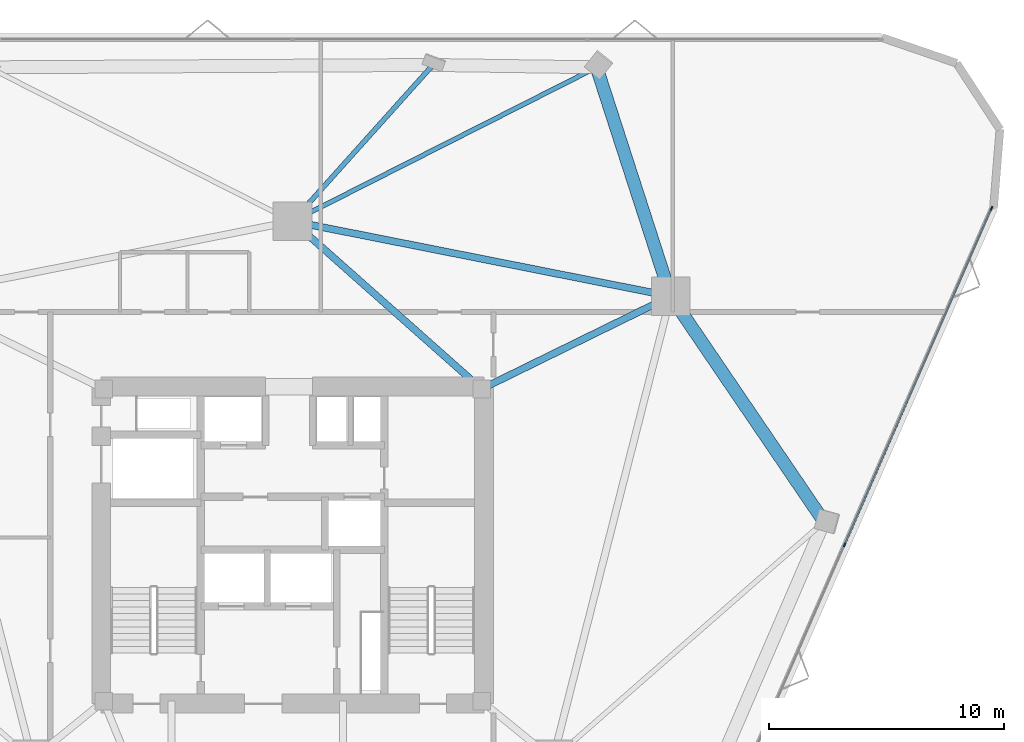
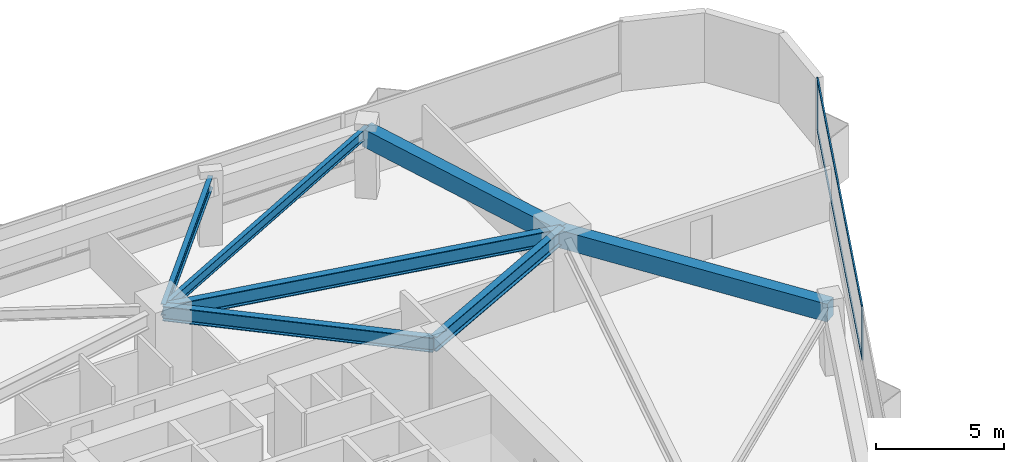
# One storey, part 6 of 14: 7 beams, 4 members, 1 element without a shape of its own.
"""IFC4 building model written with IfcOpenShell, lengths in metres."""

from ifc_helpers import new_model, si_unit, direction, frame, origin, origin_2d, place, context, subcontext, project, spatial, rectangle, i_section, extrude, material, layer, layer_set, material_profile, profile_set, type_object, element, aggregate, save


model = new_model("IFC4")

# Units and contexts
model_context = context("Model", 3, precision=1e-05, world=origin(), true_north=direction((0.0, 1.0)))
body_context = subcontext(model_context, "Body", "Model", "MODEL_VIEW")
ifc_project = project(units=[si_unit("LENGTHUNIT", "METRE"), si_unit("AREAUNIT", "SQUARE_METRE"), si_unit("VOLUMEUNIT", "CUBIC_METRE"), si_unit("PLANEANGLEUNIT", "RADIAN"), si_unit("MASSUNIT", "GRAM", prefix="KILO")], contexts=[model_context])

# Site, building, storey
site_placement = place(None, origin())
site = spatial("IfcSite", under=ifc_project, at=site_placement, CompositionType="ELEMENT")
building_placement = place(site_placement, origin())
building = spatial("IfcBuilding", under=site, at=building_placement, Name="Talyreon Biosciences Tower", CompositionType="ELEMENT")
storey_placement = place(building_placement, frame((0.0, 0.0, 115.14990234375)))
storey = spatial("IfcBuildingStorey", under=building, at=storey_placement, Name="L30", CompositionType="ELEMENT", Elevation=115.14990234375)

# Curtain wall, members
ifc_material_1 = material(Name="Thermally broken aluminium and low-E glazing", Category="aluminium")
ifc_layer = layer(ifc_material_1, 0.18994140625)
ifc_layer_set = layer_set([ifc_layer], Name="Thermally broken aluminium and low-E glazing")
curtain_wall_type = type_object("IfcCurtainWallType", Name="CurtainWall_Zone2Genomics", PredefinedType="NOTDEFINED", material=ifc_layer_set)
curtain_wall_placement = place(storey_placement, origin())
curtain_wall = element("IfcCurtainWall", 1, at=curtain_wall_placement, inside=storey, type_object=curtain_wall_type, Name="L30 Unitised Curtain Wall FCW-L30-08", PredefinedType="NOTDEFINED")
ifc_material_2 = material(Name="Anodised thermally broken aluminium", Category="aluminium")
ifc_material_profile_1 = material_profile(ifc_material_2, rectangle(XDim=0.06494140625, YDim=0.179931640625, at=origin_2d()), Name="ALUM MULLION 65x180")
ifc_profile_set_1 = profile_set([ifc_material_profile_1], Name="Anodised thermally broken aluminium")
member_type_1 = type_object("IfcMemberType", Name="CWMullion_65x180", PredefinedType="MULLION", material=ifc_profile_set_1)
member_1_placement = place(storey_placement, frame((95.767578125, 82.3408203125, 0.81005859375), z_axis=(0.0, 0.0, 1.0), x_axis=(0.916416470178, -0.400226002637, 0.0)))
member_1 = element("IfcMember", 2, at=member_1_placement, type_object=member_type_1, Name="CW3 mullion 1", PredefinedType="MULLION", context=body_context, shape_type="SweptSolid", body=[
    extrude(rectangle(XDim=0.06494140625, YDim=0.179931640625, at=origin_2d()), origin(), (0.0, 0.0, 1.0), 2.489990234375),
])
member_2_placement = place(storey_placement, frame((89.50830078125, 68.009033203125, 0.81005859375), z_axis=(0.0, 0.0, 1.0), x_axis=(0.916416470178, -0.400226002637, 0.0)))
member_2 = element("IfcMember", 3, at=member_2_placement, type_object=member_type_1, Name="CW3 mullion 2", PredefinedType="MULLION", context=body_context, shape_type="SweptSolid", body=[
    extrude(rectangle(XDim=0.06494140625, YDim=0.179931640625, at=origin_2d()), origin(), (0.0, 0.0, 1.0), 2.489990234375),
])
ifc_material_profile_2 = material_profile(ifc_material_2, rectangle(XDim=0.06494140625, YDim=0.139892578125, at=origin_2d()), Name="ALUM TRANSOM 65x140")
ifc_profile_set_2 = profile_set([ifc_material_profile_2], Name="Anodised thermally broken aluminium")
member_type_2 = type_object("IfcMemberType", Name="CWTransom_65x140", PredefinedType="USERDEFINED", material=ifc_profile_set_2)
member_3_placement = place(storey_placement, frame((95.75439453125, 82.31103515625, 0.842529296875), z_axis=(-0.400215954954, -0.916420858231, 0.0), x_axis=(0.916420858231, -0.400215954954, 0.0)))
member_3 = element("IfcMember", 4, at=member_3_placement, type_object=member_type_2, Name="CW3 transom 1.1", ObjectType="TRANSOM", PredefinedType="USERDEFINED", context=body_context, shape_type="SweptSolid", body=[
    extrude(rectangle(XDim=0.06494140625, YDim=0.139892578125, at=origin_2d()), origin(), (0.0, 0.0, 1.0), 15.573974609375),
])
member_4_placement = place(storey_placement, frame((95.75439453125, 82.31103515625, 3.267578125), z_axis=(-0.400215954954, -0.916420858231, 0.0), x_axis=(0.916420858231, -0.400215954954, 0.0)))
member_4 = element("IfcMember", 5, at=member_4_placement, type_object=member_type_2, Name="CW3 transom 1.2", ObjectType="TRANSOM", PredefinedType="USERDEFINED", context=body_context, shape_type="SweptSolid", body=[
    extrude(rectangle(XDim=0.06494140625, YDim=0.139892578125, at=origin_2d()), origin(), (0.0, 0.0, 1.0), 15.573974609375),
])
aggregate(curtain_wall, [member_1, member_2, member_3, member_4])

# Beams
ifc_material_3 = material(Name="Precast concrete C45/55", Category="concrete")
ifc_material_profile_3 = material_profile(ifc_material_3, rectangle(XDim=0.550048828125, YDim=0.85009765625, at=origin_2d()), Name="RCB 550x850")
ifc_profile_set_3 = profile_set([ifc_material_profile_3], Name="Precast concrete C45/55")
beam_type_1 = type_object("IfcBeamType", Name="ExpressedSpandrel_550x850", PredefinedType="SPANDREL", material=ifc_profile_set_3)
beam_1_placement = place(storey_placement, frame((88.635498046875, 68.9912109375, 2.875), z_axis=(-0.562319217619, 0.826920248571, 0.0), x_axis=(-0.826920248571, -0.562319217619, 0.0)))
element("IfcBeam", 6, at=beam_1_placement, inside=storey, type_object=beam_type_1, Name="L30 Expressed Horizontal Concrete Spandrel 04", PredefinedType="SPANDREL", context=body_context, shape_type="SweptSolid", body=[
    extrude(rectangle(XDim=0.550048828125, YDim=0.85009765625, at=origin_2d()), origin(), (0.0, 0.0, 1.0), 11.618408203125),
])
beam_2_placement = place(storey_placement, frame((82.102294921875, 78.5986328125, 2.875), z_axis=(-0.307838047932, 0.951438771674, 0.0), x_axis=(-0.951438771674, -0.307838047932, 0.0)))
element("IfcBeam", 7, at=beam_2_placement, inside=storey, type_object=beam_type_1, Name="L30 Expressed Horizontal Concrete Spandrel 05", PredefinedType="SPANDREL", context=body_context, shape_type="SweptSolid", body=[
    extrude(rectangle(XDim=0.550048828125, YDim=0.85009765625, at=origin_2d()), origin(), (0.0, 0.0, 1.0), 10.24658203125),
])
ifc_material_4 = material(Name="Steel SM355", Category="steel")
ifc_material_profile_4 = material_profile(ifc_material_4, i_section(OverallWidth=0.300048828125, OverallDepth=0.699951171875, WebThickness=0.01708984375, FlangeThickness=0.031982421875, FilletRadius=0.027099609375, at=origin_2d()), Name="HE700B")
ifc_profile_set_4 = profile_set([ifc_material_profile_4], Name="Steel SM355")
beam_type_2 = type_object("IfcBeamType", Name="SteelGirder_HE700B", PredefinedType="BEAM", material=ifc_profile_set_4)
beam_3_placement = place(storey_placement, frame((82.102294921875, 78.5986328125, 2.9501953125), z_axis=(-0.980933730698, 0.194342522311, 0.0), x_axis=(-0.194342522311, -0.980933730698, 0.0)))
element("IfcBeam", 8, at=beam_3_placement, inside=storey, type_object=beam_type_2, Name="L30 Mega-Ring Girder 3", PredefinedType="BEAM", context=body_context, shape_type="SweptSolid", body=[
    extrude(i_section(OverallWidth=0.300048828125, OverallDepth=0.699951171875, WebThickness=0.01708984375, FlangeThickness=0.031982421875, FilletRadius=0.027099609375, at=origin_2d()), origin(), (0.0, 0.0, 1.0), 16.415283203125),
])
beam_4_placement = place(storey_placement, frame((74.050048828125, 74.64990234375, 2.9501953125), z_axis=(0.897852360314, 0.440296648952, 0.0), x_axis=(-0.440296648952, 0.897852360314, 0.0)))
element("IfcBeam", 9, at=beam_4_placement, inside=storey, type_object=beam_type_2, Name="L30 Radial Primary Girder 3", PredefinedType="BEAM", context=body_context, shape_type="SweptSolid", body=[
    extrude(i_section(OverallWidth=0.300048828125, OverallDepth=0.699951171875, WebThickness=0.01708984375, FlangeThickness=0.031982421875, FilletRadius=0.027099609375, at=origin_2d()), origin(), (0.0, 0.0, 1.0), 8.96826171875),
])
beam_5_placement = place(storey_placement, frame((74.050048828125, 74.64990234375, 2.9501953125), z_axis=(-0.748178733955, 0.663497235908, 0.0), x_axis=(-0.663497235908, -0.748178733955, 0.0)))
element("IfcBeam", 10, at=beam_5_placement, inside=storey, type_object=beam_type_2, Name="L30 Radial Primary Girder 4", PredefinedType="BEAM", context=body_context, shape_type="SweptSolid", body=[
    extrude(i_section(OverallWidth=0.300048828125, OverallDepth=0.699951171875, WebThickness=0.01708984375, FlangeThickness=0.031982421875, FilletRadius=0.027099609375, at=origin_2d()), origin(), (0.0, 0.0, 1.0), 10.759521484375),
])
ifc_material_profile_5 = material_profile(ifc_material_4, i_section(OverallWidth=0.199951171875, OverallDepth=0.5, WebThickness=0.01025390625, FlangeThickness=0.01611328125, FilletRadius=0.02099609375, at=origin_2d()), Name="IPE500")
ifc_profile_set_5 = profile_set([ifc_material_profile_5], Name="Steel SM355")
beam_type_3 = type_object("IfcBeamType", Name="SteelJoist_IPE500", PredefinedType="JOIST", material=ifc_profile_set_5)
beam_6_placement = place(storey_placement, frame((66.0, 81.788818359375, 3.050048828125), z_axis=(0.892076913514, 0.45188359162, 0.0), x_axis=(-0.45188359162, 0.892076913514, 0.0)))
element("IfcBeam", 11, at=beam_6_placement, inside=storey, type_object=beam_type_3, Name="L30 Radial Composite Floor Joist PC-N1", PredefinedType="JOIST", context=body_context, shape_type="SweptSolid", body=[
    extrude(i_section(OverallWidth=0.199951171875, OverallDepth=0.5, WebThickness=0.01025390625, FlangeThickness=0.01611328125, FilletRadius=0.02099609375, at=origin_2d()), origin(), (0.0, 0.0, 1.0), 14.514404296875),
])
ifc_material_profile_6 = material_profile(ifc_material_4, i_section(OverallWidth=0.2099609375, OverallDepth=0.550048828125, WebThickness=0.010986328125, FlangeThickness=0.01708984375, FilletRadius=0.02392578125, at=origin_2d()), Name="IPE550")
ifc_profile_set_6 = profile_set([ifc_material_profile_6], Name="Steel SM355")
beam_type_4 = type_object("IfcBeamType", Name="SteelJoist_IPE550", PredefinedType="JOIST", material=ifc_profile_set_6)
beam_7_placement = place(storey_placement, frame((66.0, 81.788818359375, 3.025146484375), z_axis=(0.667929893728, 0.744224198118, 0.0), x_axis=(-0.744224198118, 0.667929893728, 0.0)))
element("IfcBeam", 12, at=beam_7_placement, inside=storey, type_object=beam_type_4, Name="L30 Radial Composite Floor Joist PL-N", PredefinedType="JOIST", context=body_context, shape_type="SweptSolid", body=[
    extrude(i_section(OverallWidth=0.2099609375, OverallDepth=0.550048828125, WebThickness=0.010986328125, FlangeThickness=0.01708984375, FilletRadius=0.02392578125, at=origin_2d()), origin(), (0.0, 0.0, 1.0), 8.947265625),
])

save(model, "model.ifc")
